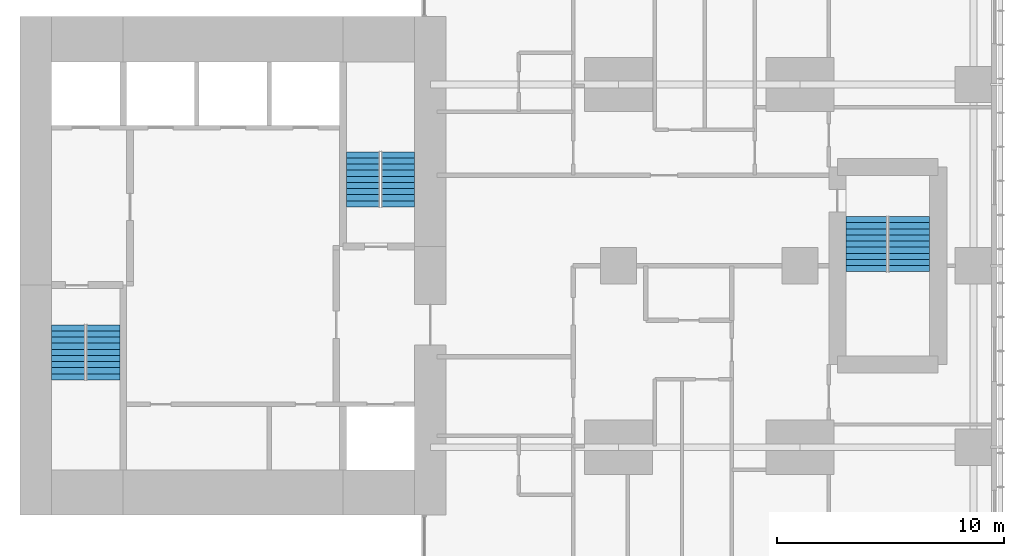
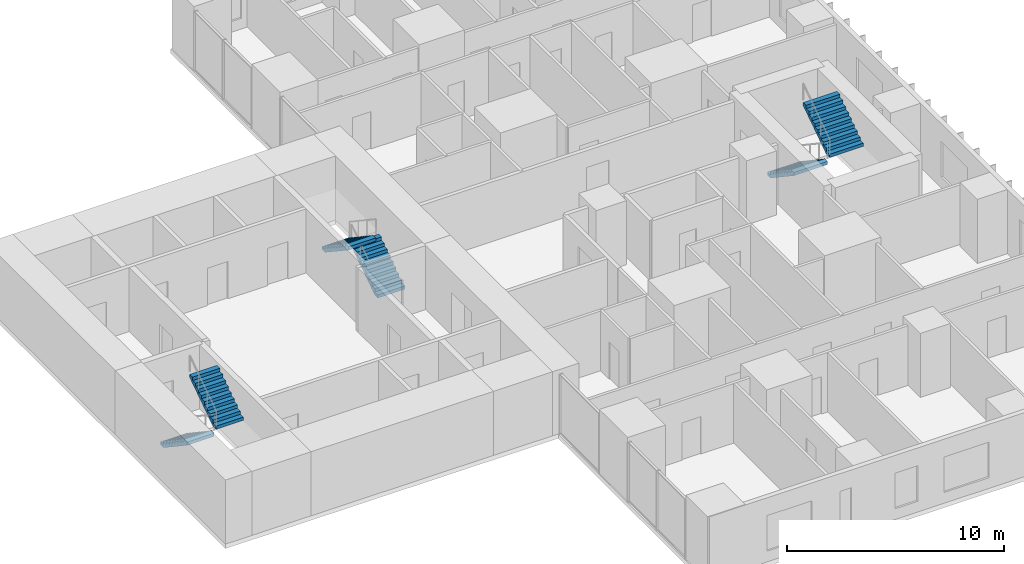
# One storey, part 11 of 12: 6 stair flights, 3 elements without a shape of their own.
"""IFC4 building model written with IfcOpenShell, lengths in metres."""

from ifc_helpers import new_model, si_unit, direction, frame, origin, place, context, subcontext, project, spatial, polyline, outline, extrude, material, type_object, element, aggregate, save


model = new_model("IFC4")

# Units and contexts
model_context = context("Model", 3, precision=1e-05, world=origin(), true_north=direction((0.0, 1.0)))
body_context = subcontext(model_context, "Body", "Model", "MODEL_VIEW")
ifc_project = project(units=[si_unit("LENGTHUNIT", "METRE"), si_unit("AREAUNIT", "SQUARE_METRE"), si_unit("VOLUMEUNIT", "CUBIC_METRE"), si_unit("PLANEANGLEUNIT", "RADIAN"), si_unit("MASSUNIT", "GRAM", prefix="KILO")], contexts=[model_context])

# Site, building, storey
site_placement = place(None, origin())
site = spatial("IfcSite", under=ifc_project, at=site_placement, CompositionType="ELEMENT")
building_placement = place(site_placement, origin())
building = spatial("IfcBuilding", under=site, at=building_placement, Name="Cleftline Residences", CompositionType="ELEMENT")
storey_placement = place(building_placement, frame((0.0, 0.0, 248.39990234375)))
storey = spatial("IfcBuildingStorey", under=building, at=storey_placement, Name="L65", CompositionType="ELEMENT", Elevation=248.39990234375)

# Stair, stair flights
ifc_material_1 = material(Name="Concrete B45, stone treads", Category="masonry")
stair_type_1 = type_object("IfcStairType", Name="STAIR A 1450 WIDE 180 RISER", PredefinedType="HALF_TURN_STAIR", material=ifc_material_1)
stair_1_placement = place(storey_placement, origin())
stair_1 = element("IfcStair", 1, at=stair_1_placement, inside=storey, type_object=stair_type_1, Name="Stair A L65", PredefinedType="HALF_TURN_STAIR")
ifc_material_2 = material(Name="Concrete B45", Category="concrete")
stair_flight_type_1 = type_object("IfcStairFlightType", Name="STAIR A FLIGHT 1450X180", PredefinedType="STRAIGHT", material=ifc_material_2)
stair_flight_1_placement = place(storey_placement, frame((25.72509765625, 21.39990234375, 0.0), z_axis=(0.0, 0.0, 1.0), x_axis=(0.0, -1.0, 0.0)))
stair_flight_1 = element("IfcStairFlight", 2, at=stair_flight_1_placement, type_object=stair_flight_type_1, Name="ST-A flight 1", NumberOfRisers=10, NumberOfTreads=9, PredefinedType="STRAIGHT", RiserHeight=0.18, TreadLength=0.27, context=body_context, shape_type="SweptSolid", body=[
    extrude(outline(polyline([(0.0, 0.0), (0.0, 0.013916015625), (0.0, 0.027587890625), (0.0, 0.04150390625), (0.0, 0.055419921875), (0.0, 0.0693359375), (0.0, 0.0830078125), (0.0, 0.096923828125), (0.0, 0.11083984375), (0.0, 0.12451171875), (0.0, 0.138427734375), (0.0, 0.15234375), (0.0, 0.166259765625), (0.0, 0.179931640625), (0.27001953125, 0.179931640625), (0.27001953125, 0.360107421875), (0.5400390625, 0.360107421875), (0.5400390625, 0.5400390625), (0.81005859375, 0.5400390625), (0.81005859375, 0.719970703125), (1.080078125, 0.719970703125), (1.080078125, 0.89990234375), (1.35009765625, 0.89990234375), (1.35009765625, 1.080078125), (1.6201171875, 1.080078125), (1.6201171875, 1.260009765625), (1.889892578125, 1.260009765625), (1.889892578125, 1.43994140625), (2.159912109375, 1.43994140625), (2.159912109375, 1.6201171875), (2.429931640625, 1.6201171875), (2.429931640625, 1.800048828125), (2.429931640625, 1.772216796875), (2.429931640625, 1.74462890625), (2.429931640625, 1.716796875), (2.429931640625, 1.689208984375), (2.429931640625, 1.661376953125), (2.429931640625, 1.6337890625), (2.429931640625, 1.60595703125), (2.429931640625, 1.578369140625), (2.429931640625, 1.550537109375), (2.429931640625, 1.52294921875), (2.429931640625, 1.495361328125), (2.429931640625, 1.467529296875), (2.429931640625, 1.43994140625), (0.270263671875, 0.0), (0.0, 0.0)])), frame((0.0, 0.72509765625, 0.0), z_axis=(0.0, -1.0, 0.0), x_axis=(1.0, 0.0, 0.0)), (0.0, 0.0, 1.0), 1.449951171875),
])
stair_flight_2_placement = place(storey_placement, frame((27.27490234375, 18.969970703125, 1.800048828125), z_axis=(0.0, 0.0, 1.0), x_axis=(0.0, 1.0, 0.0)))
stair_flight_2 = element("IfcStairFlight", 3, at=stair_flight_2_placement, type_object=stair_flight_type_1, Name="ST-A flight 2", NumberOfRisers=10, NumberOfTreads=9, PredefinedType="STRAIGHT", RiserHeight=0.18, TreadLength=0.27, context=body_context, shape_type="SweptSolid", body=[
    extrude(outline(polyline([(0.0, 0.0), (0.0, 0.013916015625), (0.0, 0.027587890625), (0.0, 0.04150390625), (0.0, 0.055419921875), (0.0, 0.0693359375), (0.0, 0.0830078125), (0.0, 0.096923828125), (0.0, 0.11083984375), (0.0, 0.12451171875), (0.0, 0.138427734375), (0.0, 0.15234375), (0.0, 0.166259765625), (0.0, 0.179931640625), (0.27001953125, 0.179931640625), (0.27001953125, 0.360107421875), (0.5400390625, 0.360107421875), (0.5400390625, 0.5400390625), (0.81005859375, 0.5400390625), (0.81005859375, 0.719970703125), (1.080078125, 0.719970703125), (1.080078125, 0.89990234375), (1.35009765625, 0.89990234375), (1.35009765625, 1.080078125), (1.6201171875, 1.080078125), (1.6201171875, 1.260009765625), (1.889892578125, 1.260009765625), (1.889892578125, 1.43994140625), (2.159912109375, 1.43994140625), (2.159912109375, 1.6201171875), (2.429931640625, 1.6201171875), (2.429931640625, 1.800048828125), (2.429931640625, 1.772216796875), (2.429931640625, 1.74462890625), (2.429931640625, 1.716796875), (2.429931640625, 1.689208984375), (2.429931640625, 1.661376953125), (2.429931640625, 1.6337890625), (2.429931640625, 1.60595703125), (2.429931640625, 1.578369140625), (2.429931640625, 1.550537109375), (2.429931640625, 1.52294921875), (2.429931640625, 1.495361328125), (2.429931640625, 1.467529296875), (2.429931640625, 1.43994140625), (0.270263671875, 0.0), (0.0, 0.0)])), frame((0.0, 0.72509765625, 0.0), z_axis=(0.0, -1.0, 0.0), x_axis=(1.0, 0.0, 0.0)), (0.0, 0.0, 1.0), 1.449951171875),
])
aggregate(stair_1, [stair_flight_1, stair_flight_2])

ifc_material_3 = material(Name="Concrete B45, stone treads", Category="masonry")
stair_type_2 = type_object("IfcStairType", Name="STAIR B 1450 WIDE 180 RISER", PredefinedType="HALF_TURN_STAIR", material=ifc_material_3)
stair_2_placement = place(storey_placement, origin())
stair_2 = element("IfcStair", 4, at=stair_2_placement, inside=storey, type_object=stair_type_2, Name="Stair B L65", PredefinedType="HALF_TURN_STAIR")
ifc_material_4 = material(Name="Concrete B45", Category="concrete")
stair_flight_type_2 = type_object("IfcStairFlightType", Name="STAIR B FLIGHT 1450X180", PredefinedType="STRAIGHT", material=ifc_material_4)
stair_flight_3_placement = place(storey_placement, frame((40.27490234375, 26.60009765625, 0.0), z_axis=(0.0, 0.0, 1.0), x_axis=(0.0, 1.0, 0.0)))
stair_flight_3 = element("IfcStairFlight", 5, at=stair_flight_3_placement, type_object=stair_flight_type_2, Name="ST-B flight 1", NumberOfRisers=10, NumberOfTreads=9, PredefinedType="STRAIGHT", RiserHeight=0.18, TreadLength=0.27, context=body_context, shape_type="SweptSolid", body=[
    extrude(outline(polyline([(0.0, 0.0), (0.0, 0.013916015625), (0.0, 0.027587890625), (0.0, 0.04150390625), (0.0, 0.055419921875), (0.0, 0.0693359375), (0.0, 0.0830078125), (0.0, 0.096923828125), (0.0, 0.11083984375), (0.0, 0.12451171875), (0.0, 0.138427734375), (0.0, 0.15234375), (0.0, 0.166259765625), (0.0, 0.179931640625), (0.27001953125, 0.179931640625), (0.27001953125, 0.360107421875), (0.5400390625, 0.360107421875), (0.5400390625, 0.5400390625), (0.81005859375, 0.5400390625), (0.81005859375, 0.719970703125), (1.080078125, 0.719970703125), (1.080078125, 0.89990234375), (1.35009765625, 0.89990234375), (1.35009765625, 1.080078125), (1.6201171875, 1.080078125), (1.6201171875, 1.260009765625), (1.889892578125, 1.260009765625), (1.889892578125, 1.43994140625), (2.159912109375, 1.43994140625), (2.159912109375, 1.6201171875), (2.429931640625, 1.6201171875), (2.429931640625, 1.800048828125), (2.429931640625, 1.772216796875), (2.429931640625, 1.74462890625), (2.429931640625, 1.716796875), (2.429931640625, 1.689208984375), (2.429931640625, 1.661376953125), (2.429931640625, 1.6337890625), (2.429931640625, 1.60595703125), (2.429931640625, 1.578369140625), (2.429931640625, 1.550537109375), (2.429931640625, 1.52294921875), (2.429931640625, 1.495361328125), (2.429931640625, 1.467529296875), (2.429931640625, 1.43994140625), (0.270263671875, 0.0), (0.0, 0.0)])), frame((0.0, 0.72509765625, 0.0), z_axis=(0.0, -1.0, 0.0), x_axis=(1.0, 0.0, 0.0)), (0.0, 0.0, 1.0), 1.449951171875),
])
stair_flight_4_placement = place(storey_placement, frame((38.72509765625, 29.030029296875, 1.800048828125), z_axis=(0.0, 0.0, 1.0), x_axis=(0.0, -1.0, 0.0)))
stair_flight_4 = element("IfcStairFlight", 6, at=stair_flight_4_placement, type_object=stair_flight_type_2, Name="ST-B flight 2", NumberOfRisers=10, NumberOfTreads=9, PredefinedType="STRAIGHT", RiserHeight=0.18, TreadLength=0.27, context=body_context, shape_type="SweptSolid", body=[
    extrude(outline(polyline([(0.0, 0.0), (0.0, 0.013916015625), (0.0, 0.027587890625), (0.0, 0.04150390625), (0.0, 0.055419921875), (0.0, 0.0693359375), (0.0, 0.0830078125), (0.0, 0.096923828125), (0.0, 0.11083984375), (0.0, 0.12451171875), (0.0, 0.138427734375), (0.0, 0.15234375), (0.0, 0.166259765625), (0.0, 0.179931640625), (0.27001953125, 0.179931640625), (0.27001953125, 0.360107421875), (0.5400390625, 0.360107421875), (0.5400390625, 0.5400390625), (0.81005859375, 0.5400390625), (0.81005859375, 0.719970703125), (1.080078125, 0.719970703125), (1.080078125, 0.89990234375), (1.35009765625, 0.89990234375), (1.35009765625, 1.080078125), (1.6201171875, 1.080078125), (1.6201171875, 1.260009765625), (1.889892578125, 1.260009765625), (1.889892578125, 1.43994140625), (2.159912109375, 1.43994140625), (2.159912109375, 1.6201171875), (2.429931640625, 1.6201171875), (2.429931640625, 1.800048828125), (2.429931640625, 1.772216796875), (2.429931640625, 1.74462890625), (2.429931640625, 1.716796875), (2.429931640625, 1.689208984375), (2.429931640625, 1.661376953125), (2.429931640625, 1.6337890625), (2.429931640625, 1.60595703125), (2.429931640625, 1.578369140625), (2.429931640625, 1.550537109375), (2.429931640625, 1.52294921875), (2.429931640625, 1.495361328125), (2.429931640625, 1.467529296875), (2.429931640625, 1.43994140625), (0.270263671875, 0.0), (0.0, 0.0)])), frame((0.0, 0.72509765625, 0.0), z_axis=(0.0, -1.0, 0.0), x_axis=(1.0, 0.0, 0.0)), (0.0, 0.0, 1.0), 1.449951171875),
])
aggregate(stair_2, [stair_flight_3, stair_flight_4])

ifc_material_5 = material(Name="Concrete B45, stone treads", Category="masonry")
stair_type_3 = type_object("IfcStairType", Name="STAIR E 1800 WIDE 180 RISER", PredefinedType="HALF_TURN_STAIR", material=ifc_material_5)
stair_3_placement = place(storey_placement, origin())
stair_3 = element("IfcStair", 7, at=stair_3_placement, inside=storey, type_object=stair_type_3, Name="Stair E L65", PredefinedType="HALF_TURN_STAIR")
ifc_material_6 = material(Name="Concrete B45", Category="concrete")
stair_flight_type_3 = type_object("IfcStairFlightType", Name="STAIR E FLIGHT 1800X180", PredefinedType="STRAIGHT", material=ifc_material_6)
stair_flight_5_placement = place(storey_placement, frame((60.925048828125, 26.175048828125, 0.0), z_axis=(0.0, 0.0, 1.0), x_axis=(0.0, -1.0, 0.0)))
stair_flight_5 = element("IfcStairFlight", 8, at=stair_flight_5_placement, type_object=stair_flight_type_3, Name="ST-E flight 1", NumberOfRisers=10, NumberOfTreads=9, PredefinedType="STRAIGHT", RiserHeight=0.18, TreadLength=0.27, context=body_context, shape_type="SweptSolid", body=[
    extrude(outline(polyline([(0.0, 0.0), (0.0, 0.013916015625), (0.0, 0.027587890625), (0.0, 0.04150390625), (0.0, 0.055419921875), (0.0, 0.0693359375), (0.0, 0.0830078125), (0.0, 0.096923828125), (0.0, 0.11083984375), (0.0, 0.12451171875), (0.0, 0.138427734375), (0.0, 0.15234375), (0.0, 0.166259765625), (0.0, 0.179931640625), (0.27001953125, 0.179931640625), (0.27001953125, 0.360107421875), (0.5400390625, 0.360107421875), (0.5400390625, 0.5400390625), (0.81005859375, 0.5400390625), (0.81005859375, 0.719970703125), (1.080078125, 0.719970703125), (1.080078125, 0.89990234375), (1.35009765625, 0.89990234375), (1.35009765625, 1.080078125), (1.6201171875, 1.080078125), (1.6201171875, 1.260009765625), (1.889892578125, 1.260009765625), (1.889892578125, 1.43994140625), (2.159912109375, 1.43994140625), (2.159912109375, 1.6201171875), (2.429931640625, 1.6201171875), (2.429931640625, 1.800048828125), (2.429931640625, 1.772216796875), (2.429931640625, 1.74462890625), (2.429931640625, 1.716796875), (2.429931640625, 1.689208984375), (2.429931640625, 1.661376953125), (2.429931640625, 1.6337890625), (2.429931640625, 1.60595703125), (2.429931640625, 1.578369140625), (2.429931640625, 1.550537109375), (2.429931640625, 1.52294921875), (2.429931640625, 1.495361328125), (2.429931640625, 1.467529296875), (2.429931640625, 1.43994140625), (0.270263671875, 0.0), (0.0, 0.0)])), frame((0.0, 0.89990234375, 0.0), z_axis=(0.0, -1.0, 0.0), x_axis=(1.0, 0.0, 0.0)), (0.0, 0.0, 1.0), 1.800048828125),
])
stair_flight_6_placement = place(storey_placement, frame((62.824951171875, 23.7451171875, 1.800048828125), z_axis=(0.0, 0.0, 1.0), x_axis=(0.0, 1.0, 0.0)))
stair_flight_6 = element("IfcStairFlight", 9, at=stair_flight_6_placement, type_object=stair_flight_type_3, Name="ST-E flight 2", NumberOfRisers=10, NumberOfTreads=9, PredefinedType="STRAIGHT", RiserHeight=0.18, TreadLength=0.27, context=body_context, shape_type="SweptSolid", body=[
    extrude(outline(polyline([(0.0, 0.0), (0.0, 0.013916015625), (0.0, 0.027587890625), (0.0, 0.04150390625), (0.0, 0.055419921875), (0.0, 0.0693359375), (0.0, 0.0830078125), (0.0, 0.096923828125), (0.0, 0.11083984375), (0.0, 0.12451171875), (0.0, 0.138427734375), (0.0, 0.15234375), (0.0, 0.166259765625), (0.0, 0.179931640625), (0.27001953125, 0.179931640625), (0.27001953125, 0.360107421875), (0.5400390625, 0.360107421875), (0.5400390625, 0.5400390625), (0.81005859375, 0.5400390625), (0.81005859375, 0.719970703125), (1.080078125, 0.719970703125), (1.080078125, 0.89990234375), (1.35009765625, 0.89990234375), (1.35009765625, 1.080078125), (1.6201171875, 1.080078125), (1.6201171875, 1.260009765625), (1.889892578125, 1.260009765625), (1.889892578125, 1.43994140625), (2.159912109375, 1.43994140625), (2.159912109375, 1.6201171875), (2.429931640625, 1.6201171875), (2.429931640625, 1.800048828125), (2.429931640625, 1.772216796875), (2.429931640625, 1.74462890625), (2.429931640625, 1.716796875), (2.429931640625, 1.689208984375), (2.429931640625, 1.661376953125), (2.429931640625, 1.6337890625), (2.429931640625, 1.60595703125), (2.429931640625, 1.578369140625), (2.429931640625, 1.550537109375), (2.429931640625, 1.52294921875), (2.429931640625, 1.495361328125), (2.429931640625, 1.467529296875), (2.429931640625, 1.43994140625), (0.270263671875, 0.0), (0.0, 0.0)])), frame((0.0, 0.89990234375, 0.0), z_axis=(0.0, -1.0, 0.0), x_axis=(1.0, 0.0, 0.0)), (0.0, 0.0, 1.0), 1.800048828125),
])
aggregate(stair_3, [stair_flight_5, stair_flight_6])

save(model, "model.ifc")
